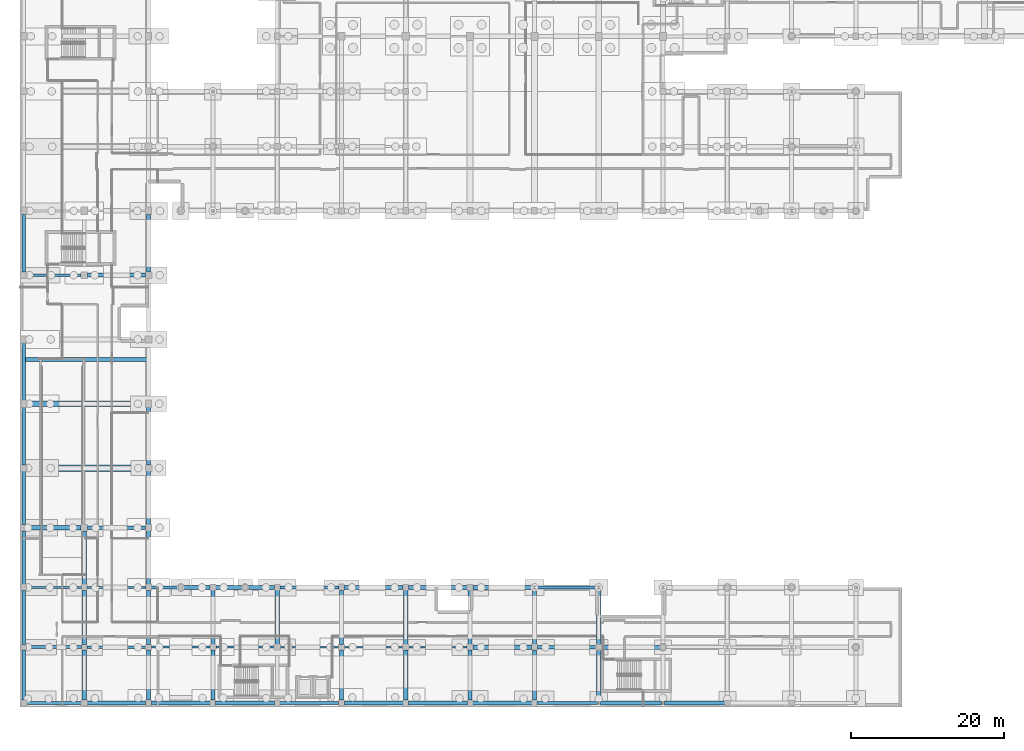
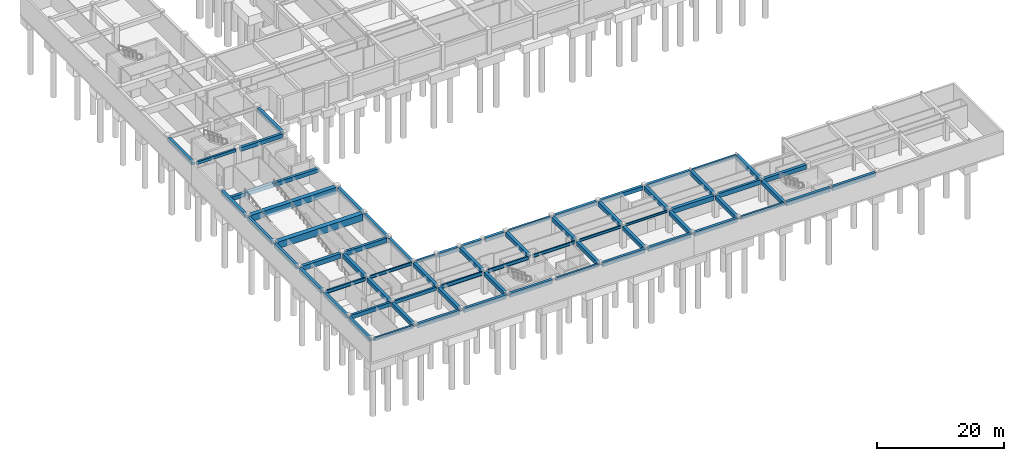
# One storey, part 19 of 42: 68 beams.
"""IFC4 building model written with IfcOpenShell, lengths in metres."""

from ifc_helpers import new_model, si_unit, direction, frame, origin, origin_2d, place, context, subcontext, project, spatial, rectangle, i_section, extrude, material, material_profile, profile_set, type_object, element, save


model = new_model("IFC4")

# Units and contexts
model_context = context("Model", 3, precision=1e-05, world=origin(), true_north=direction((0.0, 1.0)))
body_context = subcontext(model_context, "Body", "Model", "MODEL_VIEW")
ifc_project = project(units=[si_unit("LENGTHUNIT", "METRE"), si_unit("AREAUNIT", "SQUARE_METRE"), si_unit("VOLUMEUNIT", "CUBIC_METRE"), si_unit("PLANEANGLEUNIT", "RADIAN"), si_unit("MASSUNIT", "GRAM", prefix="KILO")], contexts=[model_context])

# Site, building, storey
site_placement = place(None, origin())
site = spatial("IfcSite", under=ifc_project, at=site_placement, CompositionType="ELEMENT")
building_placement = place(site_placement, origin())
building = spatial("IfcBuilding", under=site, at=building_placement, Name="Quendrovan Civic Courthouse", CompositionType="ELEMENT")
storey_placement = place(building_placement, frame((0.0, 0.0, -4.5)))
storey = spatial("IfcBuildingStorey", under=building, at=storey_placement, Name="B1", CompositionType="ELEMENT", Elevation=-4.5)

# Beams
ifc_material_1 = material(Name="Post-tensioned concrete C50/60", Category="concrete")
ifc_material_profile_1 = material_profile(ifc_material_1, rectangle(XDim=0.75, YDim=1.199951171875, at=origin_2d()), Name="PT-GIRD-750x1200")
ifc_profile_set_1 = profile_set([ifc_material_profile_1], Name="Post-tensioned concrete C50/60")
beam_type_1 = type_object("IfcBeamType", Name="BM-PT1200", PredefinedType="BEAM", material=ifc_profile_set_1)
beam_1_placement = place(storey_placement, frame((0.8798828125, 39.60009765625, 3.6201171875), z_axis=(1.0, 0.0, 0.0), x_axis=(0.0, 1.0, 0.0)))
element("IfcBeam", 1, at=beam_1_placement, inside=storey, type_object=beam_type_1, Name="B1 Girder X0044", PredefinedType="BEAM", context=body_context, shape_type="SweptSolid", body=[
    extrude(rectangle(XDim=0.75, YDim=1.199951171875, at=origin_2d()), origin(), (0.0, 0.0, 1.0), 15.5400390625),
])
ifc_material_profile_2 = material_profile(ifc_material_1, rectangle(XDim=0.85009765625, YDim=1.300048828125, at=origin_2d()), Name="PT-GRD-850x1300")
ifc_profile_set_2 = profile_set([ifc_material_profile_2], Name="Post-tensioned concrete C50/60")
beam_type_2 = type_object("IfcBeamType", Name="BM-PT1300", PredefinedType="BEAM", material=ifc_profile_set_2)
beam_2_placement = place(storey_placement, frame((0.905029296875, 31.199951171875, 3.570068359375), z_axis=(1.0, 0.0, 0.0), x_axis=(0.0, 1.0, 0.0)))
element("IfcBeam", 2, at=beam_2_placement, inside=storey, type_object=beam_type_2, Name="B1 Girder X0043", PredefinedType="BEAM", context=body_context, shape_type="SweptSolid", body=[
    extrude(rectangle(XDim=0.85009765625, YDim=1.300048828125, at=origin_2d()), origin(), (0.0, 0.0, 1.0), 15.489990234375),
])
ifc_material_2 = material(Name="Concrete C40/50", Category="concrete")
ifc_material_profile_3 = material_profile(ifc_material_2, rectangle(XDim=0.35009765625, YDim=0.550048828125, at=origin_2d()), Name="RC-BM-350x550")
ifc_profile_set_3 = profile_set([ifc_material_profile_3], Name="Concrete C40/50")
beam_type_3 = type_object("IfcBeamType", Name="BM-RC550", PredefinedType="LINTEL", material=ifc_profile_set_3)
beam_3_placement = place(storey_placement, frame((0.8798828125, 0.5, 3.945068359375), z_axis=(1.0, 0.0, 0.0), x_axis=(0.0, 1.0, 0.0)))
element("IfcBeam", 3, at=beam_3_placement, inside=storey, type_object=beam_type_3, Name="B1 Girder X0001", PredefinedType="LINTEL", context=body_context, shape_type="SweptSolid", body=[
    extrude(rectangle(XDim=0.35009765625, YDim=0.550048828125, at=origin_2d()), origin(), (0.0, 0.0, 1.0), 7.14013671875),
])
beam_4_placement = place(storey_placement, frame((33.929931640625, 0.5, 3.945068359375), z_axis=(1.0, 0.0, 0.0), x_axis=(0.0, 1.0, 0.0)))
element("IfcBeam", 4, at=beam_4_placement, inside=storey, type_object=beam_type_3, Name="B1 Girder X0005", PredefinedType="LINTEL", context=body_context, shape_type="SweptSolid", body=[
    extrude(rectangle(XDim=0.35009765625, YDim=0.550048828125, at=origin_2d()), origin(), (0.0, 0.0, 1.0), 7.690185546875),
])
beam_5_placement = place(storey_placement, frame((67.530029296875, 0.5, 3.945068359375), z_axis=(1.0, 0.0, 0.0), x_axis=(0.0, 1.0, 0.0)))
element("IfcBeam", 5, at=beam_5_placement, inside=storey, type_object=beam_type_3, Name="B1 Girder X0009", PredefinedType="LINTEL", context=body_context, shape_type="SweptSolid", body=[
    extrude(rectangle(XDim=0.35009765625, YDim=0.550048828125, at=origin_2d()), origin(), (0.0, 0.0, 1.0), 7.903076171875),
])
beam_6_placement = place(storey_placement, frame((17.1298828125, 15.60009765625, 3.945068359375), z_axis=(1.0, 0.0, 0.0), x_axis=(0.0, 1.0, 0.0)))
element("IfcBeam", 6, at=beam_6_placement, inside=storey, type_object=beam_type_3, Name="B1 Girder X0029", PredefinedType="LINTEL", context=body_context, shape_type="SweptSolid", body=[
    extrude(rectangle(XDim=0.35009765625, YDim=0.550048828125, at=origin_2d()), origin(), (0.0, 0.0, 1.0), 3.615234375),
])
beam_7_placement = place(storey_placement, frame((33.955078125, 15.60009765625, 3.945068359375), z_axis=(1.0, 0.0, 0.0), x_axis=(0.0, 1.0, 0.0)))
element("IfcBeam", 7, at=beam_7_placement, inside=storey, type_object=beam_type_3, Name="B1 Girder X0033", PredefinedType="LINTEL", context=body_context, shape_type="SweptSolid", body=[
    extrude(rectangle(XDim=0.35009765625, YDim=0.550048828125, at=origin_2d()), origin(), (0.0, 0.0, 1.0), 7.71484375),
])
beam_8_placement = place(storey_placement, frame((67.366943359375, 15.60009765625, 3.945068359375), z_axis=(1.0, 0.0, 0.0), x_axis=(0.0, 1.0, 0.0)))
element("IfcBeam", 8, at=beam_8_placement, inside=storey, type_object=beam_type_3, Name="B1 Girder X0037", PredefinedType="LINTEL", context=body_context, shape_type="SweptSolid", body=[
    extrude(rectangle(XDim=0.35009765625, YDim=0.550048828125, at=origin_2d()), origin(), (0.0, 0.0, 1.0), 8.066162109375),
])
beam_9_placement = place(storey_placement, frame((0.905029296875, 56.39990234375, 3.945068359375), z_axis=(1.0, 0.0, 0.0), x_axis=(0.0, 1.0, 0.0)))
element("IfcBeam", 9, at=beam_9_placement, inside=storey, type_object=beam_type_3, Name="B1 Girder X0045", PredefinedType="LINTEL", context=body_context, shape_type="SweptSolid", body=[
    extrude(rectangle(XDim=0.35009765625, YDim=0.550048828125, at=origin_2d()), origin(), (0.0, 0.0, 1.0), 7.090087890625),
])
ifc_material_profile_4 = material_profile(ifc_material_2, rectangle(XDim=0.35009765625, YDim=0.64990234375, at=origin_2d()), Name="RC-BM-350x650")
ifc_profile_set_4 = profile_set([ifc_material_profile_4], Name="Concrete C40/50")
beam_type_4 = type_object("IfcBeamType", Name="BM-RC650B", PredefinedType="BEAM", material=ifc_profile_set_4)
beam_10_placement = place(storey_placement, frame((8.7548828125, 7.800048828125, 3.89501953125), z_axis=(1.0, 0.0, 0.0), x_axis=(0.0, 1.0, 0.0)))
element("IfcBeam", 10, at=beam_10_placement, inside=storey, type_object=beam_type_4, Name="B1 Girder X0015", PredefinedType="BEAM", context=body_context, shape_type="SweptSolid", body=[
    extrude(rectangle(XDim=0.35009765625, YDim=0.64990234375, at=origin_2d()), origin(), (0.0, 0.0, 1.0), 7.690185546875),
])
ifc_material_profile_5 = material_profile(ifc_material_2, rectangle(XDim=0.5, YDim=0.75, at=origin_2d()), Name="RC-BM-500x750")
ifc_profile_set_5 = profile_set([ifc_material_profile_5], Name="Concrete C40/50")
beam_type_5 = type_object("IfcBeamType", Name="BM-RC750", PredefinedType="SPANDREL", material=ifc_profile_set_5)
beam_11_placement = place(storey_placement, frame((8.780029296875, 0.5, 3.844970703125), z_axis=(1.0, 0.0, 0.0), x_axis=(0.0, 1.0, 0.0)))
element("IfcBeam", 11, at=beam_11_placement, inside=storey, type_object=beam_type_5, Name="B1 Girder X0002", PredefinedType="SPANDREL", context=body_context, shape_type="SweptSolid", body=[
    extrude(rectangle(XDim=0.5, YDim=0.75, at=origin_2d()), origin(), (0.0, 0.0, 1.0), 7.639892578125),
])
beam_12_placement = place(storey_placement, frame((17.179931640625, 0.5, 3.844970703125), z_axis=(1.0, 0.0, 0.0), x_axis=(0.0, 1.0, 0.0)))
element("IfcBeam", 12, at=beam_12_placement, inside=storey, type_object=beam_type_5, Name="B1 Girder X0003", PredefinedType="SPANDREL", context=body_context, shape_type="SweptSolid", body=[
    extrude(rectangle(XDim=0.5, YDim=0.75, at=origin_2d()), origin(), (0.0, 0.0, 1.0), 7.690185546875),
])
beam_13_placement = place(storey_placement, frame((25.530029296875, 0.5, 3.844970703125), z_axis=(1.0, 0.0, 0.0), x_axis=(0.0, 1.0, 0.0)))
element("IfcBeam", 13, at=beam_13_placement, inside=storey, type_object=beam_type_5, Name="B1 Girder X0004", PredefinedType="SPANDREL", context=body_context, shape_type="SweptSolid", body=[
    extrude(rectangle(XDim=0.5, YDim=0.75, at=origin_2d()), origin(), (0.0, 0.0, 1.0), 7.739990234375),
])
beam_14_placement = place(storey_placement, frame((42.3798828125, 0.5, 3.844970703125), z_axis=(1.0, 0.0, 0.0), x_axis=(0.0, 1.0, 0.0)))
element("IfcBeam", 14, at=beam_14_placement, inside=storey, type_object=beam_type_5, Name="B1 Girder X0006", PredefinedType="SPANDREL", context=body_context, shape_type="SweptSolid", body=[
    extrude(rectangle(XDim=0.5, YDim=0.75, at=origin_2d()), origin(), (0.0, 0.0, 1.0), 7.690185546875),
])
beam_15_placement = place(storey_placement, frame((50.72998046875, 0.5, 3.844970703125), z_axis=(1.0, 0.0, 0.0), x_axis=(0.0, 1.0, 0.0)))
element("IfcBeam", 15, at=beam_15_placement, inside=storey, type_object=beam_type_5, Name="B1 Girder X0007", PredefinedType="SPANDREL", context=body_context, shape_type="SweptSolid", body=[
    extrude(rectangle(XDim=0.5, YDim=0.75, at=origin_2d()), origin(), (0.0, 0.0, 1.0), 7.739990234375),
])
beam_16_placement = place(storey_placement, frame((59.1298828125, 0.5, 3.844970703125), z_axis=(1.0, 0.0, 0.0), x_axis=(0.0, 1.0, 0.0)))
element("IfcBeam", 16, at=beam_16_placement, inside=storey, type_object=beam_type_5, Name="B1 Girder X0008", PredefinedType="SPANDREL", context=body_context, shape_type="SweptSolid", body=[
    extrude(rectangle(XDim=0.5, YDim=0.75, at=origin_2d()), origin(), (0.0, 0.0, 1.0), 7.740234375),
])
beam_17_placement = place(storey_placement, frame((75.76708984375, 0.5, 3.844970703125), z_axis=(1.0, 0.0, 0.0), x_axis=(0.0, 1.0, 0.0)))
element("IfcBeam", 17, at=beam_17_placement, inside=storey, type_object=beam_type_5, Name="B1 Girder X0010", PredefinedType="SPANDREL", context=body_context, shape_type="SweptSolid", body=[
    extrude(rectangle(XDim=0.5, YDim=0.75, at=origin_2d()), origin(), (0.0, 0.0, 1.0), 8.06591796875),
])
beam_18_placement = place(storey_placement, frame((84.1669921875, 0.5, 3.844970703125), z_axis=(1.0, 0.0, 0.0), x_axis=(0.0, 1.0, 0.0)))
element("IfcBeam", 18, at=beam_18_placement, inside=storey, type_object=beam_type_5, Name="B1 Girder X0011", PredefinedType="SPANDREL", context=body_context, shape_type="SweptSolid", body=[
    extrude(rectangle(XDim=0.5, YDim=0.75, at=origin_2d()), origin(), (0.0, 0.0, 1.0), 7.903076171875),
])
beam_19_placement = place(storey_placement, frame((21.2548828125, 15.60009765625, 3.844970703125), z_axis=(1.0, 0.0, 0.0), x_axis=(0.0, 1.0, 0.0)))
element("IfcBeam", 19, at=beam_19_placement, inside=storey, type_object=beam_type_5, Name="B1 Girder X0030", PredefinedType="SPANDREL", context=body_context, shape_type="SweptSolid", body=[
    extrude(rectangle(XDim=0.5, YDim=0.75, at=origin_2d()), origin(), (0.0, 0.0, 1.0), 3.590087890625),
])
beam_20_placement = place(storey_placement, frame((25.554931640625, 15.60009765625, 3.844970703125), z_axis=(1.0, 0.0, 0.0), x_axis=(0.0, 1.0, 0.0)))
element("IfcBeam", 20, at=beam_20_placement, inside=storey, type_object=beam_type_5, Name="B1 Girder X0031", PredefinedType="SPANDREL", context=body_context, shape_type="SweptSolid", body=[
    extrude(rectangle(XDim=0.5, YDim=0.75, at=origin_2d()), origin(), (0.0, 0.0, 1.0), 3.489990234375),
])
beam_21_placement = place(storey_placement, frame((29.7548828125, 15.60009765625, 3.844970703125), z_axis=(1.0, 0.0, 0.0), x_axis=(0.0, 1.0, 0.0)))
element("IfcBeam", 21, at=beam_21_placement, inside=storey, type_object=beam_type_5, Name="B1 Girder X0032", PredefinedType="SPANDREL", context=body_context, shape_type="SweptSolid", body=[
    extrude(rectangle(XDim=0.5, YDim=0.75, at=origin_2d()), origin(), (0.0, 0.0, 1.0), 3.490234375),
])
beam_22_placement = place(storey_placement, frame((42.330078125, 15.60009765625, 3.844970703125), z_axis=(1.0, 0.0, 0.0), x_axis=(0.0, 1.0, 0.0)))
element("IfcBeam", 22, at=beam_22_placement, inside=storey, type_object=beam_type_5, Name="B1 Girder X0034", PredefinedType="SPANDREL", context=body_context, shape_type="SweptSolid", body=[
    extrude(rectangle(XDim=0.5, YDim=0.75, at=origin_2d()), origin(), (0.0, 0.0, 1.0), 7.71484375),
])
beam_23_placement = place(storey_placement, frame((50.7548828125, 15.60009765625, 3.844970703125), z_axis=(1.0, 0.0, 0.0), x_axis=(0.0, 1.0, 0.0)))
element("IfcBeam", 23, at=beam_23_placement, inside=storey, type_object=beam_type_5, Name="B1 Girder X0035", PredefinedType="SPANDREL", context=body_context, shape_type="SweptSolid", body=[
    extrude(rectangle(XDim=0.5, YDim=0.75, at=origin_2d()), origin(), (0.0, 0.0, 1.0), 7.690185546875),
])
beam_24_placement = place(storey_placement, frame((59.155029296875, 15.60009765625, 3.844970703125), z_axis=(1.0, 0.0, 0.0), x_axis=(0.0, 1.0, 0.0)))
element("IfcBeam", 24, at=beam_24_placement, inside=storey, type_object=beam_type_5, Name="B1 Girder X0036", PredefinedType="SPANDREL", context=body_context, shape_type="SweptSolid", body=[
    extrude(rectangle(XDim=0.5, YDim=0.75, at=origin_2d()), origin(), (0.0, 0.0, 1.0), 7.8779296875),
])
beam_25_placement = place(storey_placement, frame((8.804931640625, 56.39990234375, 3.844970703125), z_axis=(1.0, 0.0, 0.0), x_axis=(0.0, 1.0, 0.0)))
element("IfcBeam", 25, at=beam_25_placement, inside=storey, type_object=beam_type_5, Name="B1 Girder X0046", PredefinedType="SPANDREL", context=body_context, shape_type="SweptSolid", body=[
    extrude(rectangle(XDim=0.5, YDim=0.75, at=origin_2d()), origin(), (0.0, 0.0, 1.0), 7.590087890625),
])
beam_26_placement = place(storey_placement, frame((0.5, 0.8798828125, 3.844970703125), z_axis=(0.0, 1.0, 0.0), x_axis=(-1.0, 0.0, 0.0)))
element("IfcBeam", 26, at=beam_26_placement, inside=storey, type_object=beam_type_5, Name="B1 Girder Y0131", PredefinedType="SPANDREL", context=body_context, shape_type="SweptSolid", body=[
    extrude(rectangle(XDim=0.5, YDim=0.75, at=origin_2d()), origin(), (0.0, 0.0, 1.0), 6.565185546875),
])
beam_27_placement = place(storey_placement, frame((0.5, 8.155029296875, 3.844970703125), z_axis=(0.0, 1.0, 0.0), x_axis=(-1.0, 0.0, 0.0)))
element("IfcBeam", 27, at=beam_27_placement, inside=storey, type_object=beam_type_5, Name="B1 Girder Y0132", PredefinedType="SPANDREL", context=body_context, shape_type="SweptSolid", body=[
    extrude(rectangle(XDim=0.5, YDim=0.75, at=origin_2d()), origin(), (0.0, 0.0, 1.0), 7.0400390625),
])
beam_28_placement = place(storey_placement, frame((0.5, 16.0048828125, 3.844970703125), z_axis=(0.0, 1.0, 0.0), x_axis=(-1.0, 0.0, 0.0)))
element("IfcBeam", 28, at=beam_28_placement, inside=storey, type_object=beam_type_5, Name="B1 Girder Y0133", PredefinedType="SPANDREL", context=body_context, shape_type="SweptSolid", body=[
    extrude(rectangle(XDim=0.5, YDim=0.75, at=origin_2d()), origin(), (0.0, 0.0, 1.0), 6.965087890625),
])
beam_29_placement = place(storey_placement, frame((0.5, 23.830078125, 3.844970703125), z_axis=(0.0, 1.0, 0.0), x_axis=(-1.0, 0.0, 0.0)))
element("IfcBeam", 29, at=beam_29_placement, inside=storey, type_object=beam_type_5, Name="B1 Girder Y0134", PredefinedType="SPANDREL", context=body_context, shape_type="SweptSolid", body=[
    extrude(rectangle(XDim=0.5, YDim=0.75, at=origin_2d()), origin(), (0.0, 0.0, 1.0), 6.96484375),
])
beam_30_placement = place(storey_placement, frame((0.5, 31.60498046875, 3.844970703125), z_axis=(0.0, 1.0, 0.0), x_axis=(-1.0, 0.0, 0.0)))
element("IfcBeam", 30, at=beam_30_placement, inside=storey, type_object=beam_type_5, Name="B1 Girder Y0135", PredefinedType="SPANDREL", context=body_context, shape_type="SweptSolid", body=[
    extrude(rectangle(XDim=0.5, YDim=0.75, at=origin_2d()), origin(), (0.0, 0.0, 1.0), 7.5400390625),
])
beam_31_placement = place(storey_placement, frame((0.5, 40.054931640625, 3.844970703125), z_axis=(0.0, 1.0, 0.0), x_axis=(-1.0, 0.0, 0.0)))
element("IfcBeam", 31, at=beam_31_placement, inside=storey, type_object=beam_type_5, Name="B1 Girder Y0136", PredefinedType="SPANDREL", context=body_context, shape_type="SweptSolid", body=[
    extrude(rectangle(XDim=0.5, YDim=0.75, at=origin_2d()), origin(), (0.0, 0.0, 1.0), 7.51513671875),
])
beam_32_placement = place(storey_placement, frame((0.5, 56.804931640625, 3.844970703125), z_axis=(0.0, 1.0, 0.0), x_axis=(-1.0, 0.0, 0.0)))
element("IfcBeam", 32, at=beam_32_placement, inside=storey, type_object=beam_type_5, Name="B1 Girder Y0137", PredefinedType="SPANDREL", context=body_context, shape_type="SweptSolid", body=[
    extrude(rectangle(XDim=0.5, YDim=0.75, at=origin_2d()), origin(), (0.0, 0.0, 1.0), 7.5400390625),
])
beam_33_placement = place(storey_placement, frame((16.800048828125, 16.0048828125, 3.844970703125), z_axis=(0.0, 1.0, 0.0), x_axis=(-1.0, 0.0, 0.0)))
element("IfcBeam", 33, at=beam_33_placement, inside=storey, type_object=beam_type_5, Name="B1 Girder Y0149", PredefinedType="SPANDREL", context=body_context, shape_type="SweptSolid", body=[
    extrude(rectangle(XDim=0.5, YDim=0.75, at=origin_2d()), origin(), (0.0, 0.0, 1.0), 7.01513671875),
])
beam_34_placement = place(storey_placement, frame((16.800048828125, 23.780029296875, 3.844970703125), z_axis=(0.0, 1.0, 0.0), x_axis=(-1.0, 0.0, 0.0)))
element("IfcBeam", 34, at=beam_34_placement, inside=storey, type_object=beam_type_5, Name="B1 Girder Y0150", PredefinedType="SPANDREL", context=body_context, shape_type="SweptSolid", body=[
    extrude(rectangle(XDim=0.5, YDim=0.75, at=origin_2d()), origin(), (0.0, 0.0, 1.0), 7.014892578125),
])
for number, where, z_axis, x_axis, name in (
    (35, (16.800048828125, 31.60498046875, 3.844970703125), (0.0, 1.0, 0.0), (-1.0, 0.0, 0.0), "B1 Girder Y0151"),
    (36, (16.800048828125, 56.804931640625, 3.844970703125), (0.0, 1.0, 0.0), (-1.0, 0.0, 0.0), "B1 Girder Y0152"),
):
    element("IfcBeam", number, at=place(storey_placement, frame(where, z_axis=z_axis, x_axis=x_axis)), inside=storey, type_object=beam_type_5, Name=name, PredefinedType="SPANDREL", context=body_context, shape_type="SweptSolid", body=[
        extrude(rectangle(XDim=0.5, YDim=0.75, at=origin_2d()), origin(), (0.0, 0.0, 1.0), 7.5400390625),
    ])
beam_35_placement = place(storey_placement, frame((0.5, 45.39990234375, 3.804931640625), z_axis=(1.0, 0.0, 0.0), x_axis=(0.0, 1.0, 0.0)))
element("IfcBeam", 37, at=beam_35_placement, inside=storey, type_object=beam_type_5, Name="B1 Vehicle Ramp Top Header Beam", PredefinedType="SPANDREL", context=body_context, shape_type="SweptSolid", body=[
    extrude(rectangle(XDim=0.5, YDim=0.75, at=origin_2d()), origin(), (0.0, 0.0, 1.0), 16.300048828125),
])
ifc_material_profile_6 = material_profile(ifc_material_2, rectangle(XDim=0.39990234375, YDim=0.75, at=origin_2d()), Name="RC-BM-400x750")
ifc_profile_set_6 = profile_set([ifc_material_profile_6], Name="Concrete C40/50")
beam_type_6 = type_object("IfcBeamType", Name="BM-RC750B", PredefinedType="BEAM", material=ifc_profile_set_6)
beam_36_placement = place(storey_placement, frame((0.85498046875, 7.800048828125, 3.844970703125), z_axis=(1.0, 0.0, 0.0), x_axis=(0.0, 1.0, 0.0)))
element("IfcBeam", 38, at=beam_36_placement, inside=storey, type_object=beam_type_6, Name="B1 Girder X0014", PredefinedType="BEAM", context=body_context, shape_type="SweptSolid", body=[
    extrude(rectangle(XDim=0.39990234375, YDim=0.75, at=origin_2d()), origin(), (0.0, 0.0, 1.0), 7.18994140625),
])
ifc_material_profile_7 = material_profile(ifc_material_2, rectangle(XDim=0.550048828125, YDim=0.800048828125, at=origin_2d()), Name="RC-BM-550x800")
ifc_profile_set_7 = profile_set([ifc_material_profile_7], Name="Concrete C40/50")
beam_type_7 = type_object("IfcBeamType", Name="BM-RC800", PredefinedType="BEAM", material=ifc_profile_set_7)
beam_37_placement = place(storey_placement, frame((75.929931640625, 7.800048828125, 3.820068359375), z_axis=(1.0, 0.0, 0.0), x_axis=(0.0, 1.0, 0.0)))
element("IfcBeam", 39, at=beam_37_placement, inside=storey, type_object=beam_type_7, Name="B1 Girder X0023", PredefinedType="BEAM", context=body_context, shape_type="SweptSolid", body=[
    extrude(rectangle(XDim=0.550048828125, YDim=0.800048828125, at=origin_2d()), origin(), (0.0, 0.0, 1.0), 7.739990234375),
])
beam_38_placement = place(storey_placement, frame((8.39990234375, 0.8798828125, 3.820068359375), z_axis=(0.0, 1.0, 0.0), x_axis=(-1.0, 0.0, 0.0)))
element("IfcBeam", 40, at=beam_38_placement, inside=storey, type_object=beam_type_7, Name="B1 Girder Y0143", PredefinedType="BEAM", context=body_context, shape_type="SweptSolid", body=[
    extrude(rectangle(XDim=0.550048828125, YDim=0.800048828125, at=origin_2d()), origin(), (0.0, 0.0, 1.0), 6.565185546875),
])
beam_39_placement = place(storey_placement, frame((8.39990234375, 8.155029296875, 3.820068359375), z_axis=(0.0, 1.0, 0.0), x_axis=(-1.0, 0.0, 0.0)))
element("IfcBeam", 41, at=beam_39_placement, inside=storey, type_object=beam_type_7, Name="B1 Girder Y0144", PredefinedType="BEAM", context=body_context, shape_type="SweptSolid", body=[
    extrude(rectangle(XDim=0.550048828125, YDim=0.800048828125, at=origin_2d()), origin(), (0.0, 0.0, 1.0), 7.0400390625),
])
beam_40_placement = place(storey_placement, frame((8.39990234375, 16.0048828125, 3.820068359375), z_axis=(0.0, 1.0, 0.0), x_axis=(-1.0, 0.0, 0.0)))
element("IfcBeam", 42, at=beam_40_placement, inside=storey, type_object=beam_type_7, Name="B1 Girder Y0145", PredefinedType="BEAM", context=body_context, shape_type="SweptSolid", body=[
    extrude(rectangle(XDim=0.550048828125, YDim=0.800048828125, at=origin_2d()), origin(), (0.0, 0.0, 1.0), 6.965087890625),
])
beam_41_placement = place(storey_placement, frame((16.800048828125, 0.8798828125, 3.820068359375), z_axis=(0.0, 1.0, 0.0), x_axis=(-1.0, 0.0, 0.0)))
element("IfcBeam", 43, at=beam_41_placement, inside=storey, type_object=beam_type_7, Name="B1 Girder Y0147", PredefinedType="BEAM", context=body_context, shape_type="SweptSolid", body=[
    extrude(rectangle(XDim=0.550048828125, YDim=0.800048828125, at=origin_2d()), origin(), (0.0, 0.0, 1.0), 6.565185546875),
])
beam_42_placement = place(storey_placement, frame((16.800048828125, 8.155029296875, 3.820068359375), z_axis=(0.0, 1.0, 0.0), x_axis=(-1.0, 0.0, 0.0)))
element("IfcBeam", 44, at=beam_42_placement, inside=storey, type_object=beam_type_7, Name="B1 Girder Y0148", PredefinedType="BEAM", context=body_context, shape_type="SweptSolid", body=[
    extrude(rectangle(XDim=0.550048828125, YDim=0.800048828125, at=origin_2d()), origin(), (0.0, 0.0, 1.0), 7.0400390625),
])
beam_43_placement = place(storey_placement, frame((25.199951171875, 0.905029296875, 3.820068359375), z_axis=(0.0, 1.0, 0.0), x_axis=(-1.0, 0.0, 0.0)))
element("IfcBeam", 45, at=beam_43_placement, inside=storey, type_object=beam_type_7, Name="B1 Girder Y0158", PredefinedType="BEAM", context=body_context, shape_type="SweptSolid", body=[
    extrude(rectangle(XDim=0.550048828125, YDim=0.800048828125, at=origin_2d()), origin(), (0.0, 0.0, 1.0), 6.514892578125),
])
for number, where, z_axis, x_axis, name in (
    (46, (25.199951171875, 8.179931640625, 3.820068359375), (0.0, 1.0, 0.0), (-1.0, 0.0, 0.0), "B1 Girder Y0159"),
    (47, (33.60009765625, 8.179931640625, 3.820068359375), (0.0, 1.0, 0.0), (-1.0, 0.0, 0.0), "B1 Girder Y0162"),
):
    element("IfcBeam", number, at=place(storey_placement, frame(where, z_axis=z_axis, x_axis=x_axis)), inside=storey, type_object=beam_type_7, Name=name, PredefinedType="BEAM", context=body_context, shape_type="SweptSolid", body=[
        extrude(rectangle(XDim=0.550048828125, YDim=0.800048828125, at=origin_2d()), origin(), (0.0, 0.0, 1.0), 7.065185546875),
    ])
beam_44_placement = place(storey_placement, frame((42.0, 0.8798828125, 3.820068359375), z_axis=(0.0, 1.0, 0.0), x_axis=(-1.0, 0.0, 0.0)))
element("IfcBeam", 48, at=beam_44_placement, inside=storey, type_object=beam_type_7, Name="B1 Girder Y0169", PredefinedType="BEAM", context=body_context, shape_type="SweptSolid", body=[
    extrude(rectangle(XDim=0.550048828125, YDim=0.800048828125, at=origin_2d()), origin(), (0.0, 0.0, 1.0), 6.565185546875),
])
beam_45_placement = place(storey_placement, frame((42.0, 8.155029296875, 3.820068359375), z_axis=(0.0, 1.0, 0.0), x_axis=(-1.0, 0.0, 0.0)))
element("IfcBeam", 49, at=beam_45_placement, inside=storey, type_object=beam_type_7, Name="B1 Girder Y0170", PredefinedType="BEAM", context=body_context, shape_type="SweptSolid", body=[
    extrude(rectangle(XDim=0.550048828125, YDim=0.800048828125, at=origin_2d()), origin(), (0.0, 0.0, 1.0), 7.0400390625),
])
beam_46_placement = place(storey_placement, frame((50.39990234375, 0.905029296875, 3.820068359375), z_axis=(0.0, 1.0, 0.0), x_axis=(-1.0, 0.0, 0.0)))
element("IfcBeam", 50, at=beam_46_placement, inside=storey, type_object=beam_type_7, Name="B1 Girder Y0174", PredefinedType="BEAM", context=body_context, shape_type="SweptSolid", body=[
    extrude(rectangle(XDim=0.550048828125, YDim=0.800048828125, at=origin_2d()), origin(), (0.0, 0.0, 1.0), 6.514892578125),
])
beam_47_placement = place(storey_placement, frame((50.39990234375, 8.179931640625, 3.820068359375), z_axis=(0.0, 1.0, 0.0), x_axis=(-1.0, 0.0, 0.0)))
element("IfcBeam", 51, at=beam_47_placement, inside=storey, type_object=beam_type_7, Name="B1 Girder Y0175", PredefinedType="BEAM", context=body_context, shape_type="SweptSolid", body=[
    extrude(rectangle(XDim=0.550048828125, YDim=0.800048828125, at=origin_2d()), origin(), (0.0, 0.0, 1.0), 7.065185546875),
])
beam_48_placement = place(storey_placement, frame((58.800048828125, 0.905029296875, 3.820068359375), z_axis=(0.0, 1.0, 0.0), x_axis=(-1.0, 0.0, 0.0)))
element("IfcBeam", 52, at=beam_48_placement, inside=storey, type_object=beam_type_7, Name="B1 Girder Y0181", PredefinedType="BEAM", context=body_context, shape_type="SweptSolid", body=[
    extrude(rectangle(XDim=0.550048828125, YDim=0.800048828125, at=origin_2d()), origin(), (0.0, 0.0, 1.0), 6.514892578125),
])
beam_49_placement = place(storey_placement, frame((58.800048828125, 8.179931640625, 3.820068359375), z_axis=(0.0, 1.0, 0.0), x_axis=(-1.0, 0.0, 0.0)))
element("IfcBeam", 53, at=beam_49_placement, inside=storey, type_object=beam_type_7, Name="B1 Girder Y0182", PredefinedType="BEAM", context=body_context, shape_type="SweptSolid", body=[
    extrude(rectangle(XDim=0.550048828125, YDim=0.800048828125, at=origin_2d()), origin(), (0.0, 0.0, 1.0), 7.065185546875),
])
beam_50_placement = place(storey_placement, frame((67.199951171875, 0.905029296875, 3.820068359375), z_axis=(0.0, 1.0, 0.0), x_axis=(-1.0, 0.0, 0.0)))
element("IfcBeam", 54, at=beam_50_placement, inside=storey, type_object=beam_type_7, Name="B1 Girder Y0184", PredefinedType="BEAM", context=body_context, shape_type="SweptSolid", body=[
    extrude(rectangle(XDim=0.550048828125, YDim=0.800048828125, at=origin_2d()), origin(), (0.0, 0.0, 1.0), 6.514892578125),
])
beam_51_placement = place(storey_placement, frame((67.199951171875, 8.179931640625, 3.820068359375), z_axis=(0.0, 1.0, 0.0), x_axis=(-1.0, 0.0, 0.0)))
element("IfcBeam", 55, at=beam_51_placement, inside=storey, type_object=beam_type_7, Name="B1 Girder Y0185", PredefinedType="BEAM", context=body_context, shape_type="SweptSolid", body=[
    extrude(rectangle(XDim=0.550048828125, YDim=0.800048828125, at=origin_2d()), origin(), (0.0, 0.0, 1.0), 7.254150390625),
])
beam_52_placement = place(storey_placement, frame((75.60009765625, 0.666015625, 3.820068359375), z_axis=(0.0, 1.0, 0.0), x_axis=(-1.0, 0.0, 0.0)))
element("IfcBeam", 56, at=beam_52_placement, inside=storey, type_object=beam_type_7, Name="B1 Girder Y0190", PredefinedType="BEAM", context=body_context, shape_type="SweptSolid", body=[
    extrude(rectangle(XDim=0.550048828125, YDim=0.800048828125, at=origin_2d()), origin(), (0.0, 0.0, 1.0), 6.803955078125),
])
beam_53_placement = place(storey_placement, frame((75.60009765625, 8.1298828125, 3.820068359375), z_axis=(0.0, 1.0, 0.0), x_axis=(-1.0, 0.0, 0.0)))
element("IfcBeam", 57, at=beam_53_placement, inside=storey, type_object=beam_type_7, Name="B1 Girder Y0191", PredefinedType="BEAM", context=body_context, shape_type="SweptSolid", body=[
    extrude(rectangle(XDim=0.550048828125, YDim=0.800048828125, at=origin_2d()), origin(), (0.0, 0.0, 1.0), 7.30419921875),
])
ifc_material_3 = material(Name="Concrete C45/55", Category="concrete")
ifc_material_profile_8 = material_profile(ifc_material_3, rectangle(XDim=0.449951171875, YDim=0.85009765625, at=origin_2d()), Name="RC-BM-450x850")
ifc_profile_set_8 = profile_set([ifc_material_profile_8], Name="Concrete C45/55")
beam_type_8 = type_object("IfcBeamType", Name="BM-RC850", PredefinedType="BEAM", material=ifc_profile_set_8)
beam_54_placement = place(storey_placement, frame((67.580078125, 7.800048828125, 3.794921875), z_axis=(1.0, 0.0, 0.0), x_axis=(0.0, 1.0, 0.0)))
element("IfcBeam", 58, at=beam_54_placement, inside=storey, type_object=beam_type_8, Name="B1 Girder X0022", PredefinedType="BEAM", context=body_context, shape_type="SweptSolid", body=[
    extrude(rectangle(XDim=0.449951171875, YDim=0.85009765625, at=origin_2d()), origin(), (0.0, 0.0, 1.0), 7.68994140625),
])
beam_55_placement = place(storey_placement, frame((8.830078125, 23.39990234375, 3.794921875), z_axis=(1.0, 0.0, 0.0), x_axis=(0.0, 1.0, 0.0)))
element("IfcBeam", 59, at=beam_55_placement, inside=storey, type_object=beam_type_8, Name="B1 Girder X0042", PredefinedType="BEAM", context=body_context, shape_type="SweptSolid", body=[
    extrude(rectangle(XDim=0.449951171875, YDim=0.85009765625, at=origin_2d()), origin(), (0.0, 0.0, 1.0), 7.58984375),
])
ifc_material_profile_9 = material_profile(ifc_material_2, rectangle(XDim=0.60009765625, YDim=0.89990234375, at=origin_2d()), Name="RC-BM-600x900")
ifc_profile_set_9 = profile_set([ifc_material_profile_9], Name="Concrete C40/50")
beam_type_9 = type_object("IfcBeamType", Name="BM-RC900", PredefinedType="BEAM", material=ifc_profile_set_9)
beam_56_placement = place(storey_placement, frame((59.179931640625, 7.800048828125, 3.77001953125), z_axis=(1.0, 0.0, 0.0), x_axis=(0.0, 1.0, 0.0)))
element("IfcBeam", 60, at=beam_56_placement, inside=storey, type_object=beam_type_9, Name="B1 Girder X0021", PredefinedType="BEAM", context=body_context, shape_type="SweptSolid", body=[
    extrude(rectangle(XDim=0.60009765625, YDim=0.89990234375, at=origin_2d()), origin(), (0.0, 0.0, 1.0), 7.64013671875),
])
beam_57_placement = place(storey_placement, frame((0.929931640625, 23.39990234375, 3.77001953125), z_axis=(1.0, 0.0, 0.0), x_axis=(0.0, 1.0, 0.0)))
element("IfcBeam", 61, at=beam_57_placement, inside=storey, type_object=beam_type_9, Name="B1 Girder X0041", PredefinedType="BEAM", context=body_context, shape_type="SweptSolid", body=[
    extrude(rectangle(XDim=0.60009765625, YDim=0.89990234375, at=origin_2d()), origin(), (0.0, 0.0, 1.0), 7.0400390625),
])
ifc_material_4 = material(Name="Steel ASTM A992 Grade 50", Category="steel")
ifc_material_profile_10 = material_profile(ifc_material_4, i_section(OverallWidth=0.18994140625, OverallDepth=0.45703125, WebThickness=0.009033203125, FlangeThickness=0.014404296875, at=origin_2d()), Name="W18X50")
ifc_profile_set_10 = profile_set([ifc_material_profile_10], Name="Steel ASTM A992 Grade 50")
beam_type_10 = type_object("IfcBeamType", Name="BM-STL-W18", PredefinedType="JOIST", material=ifc_profile_set_10)
beam_58_placement = place(storey_placement, frame((50.780029296875, 7.800048828125, 3.991455078125), z_axis=(1.0, 0.0, 0.0), x_axis=(0.0, 1.0, 0.0)))
element("IfcBeam", 62, at=beam_58_placement, inside=storey, type_object=beam_type_10, Name="B1 Girder X0020", PredefinedType="JOIST", context=body_context, shape_type="SweptSolid", body=[
    extrude(i_section(OverallWidth=0.18994140625, OverallDepth=0.45703125, WebThickness=0.009033203125, FlangeThickness=0.014404296875, at=origin_2d()), origin(), (0.0, 0.0, 1.0), 7.639892578125),
])
ifc_material_profile_11 = material_profile(ifc_material_4, i_section(OverallWidth=0.208984375, OverallDepth=0.532958984375, WebThickness=0.01025390625, FlangeThickness=0.015625, at=origin_2d()), Name="W21X62")
ifc_profile_set_11 = profile_set([ifc_material_profile_11], Name="Steel ASTM A992 Grade 50")
beam_type_11 = type_object("IfcBeamType", Name="BM-STL-W21", PredefinedType="JOIST", material=ifc_profile_set_11)
beam_59_placement = place(storey_placement, frame((42.35498046875, 7.800048828125, 3.95361328125), z_axis=(1.0, 0.0, 0.0), x_axis=(0.0, 1.0, 0.0)))
element("IfcBeam", 63, at=beam_59_placement, inside=storey, type_object=beam_type_11, Name="B1 Girder X0019", PredefinedType="JOIST", context=body_context, shape_type="SweptSolid", body=[
    extrude(i_section(OverallWidth=0.208984375, OverallDepth=0.532958984375, WebThickness=0.01025390625, FlangeThickness=0.015625, at=origin_2d()), origin(), (0.0, 0.0, 1.0), 7.6650390625),
])
ifc_material_profile_12 = material_profile(ifc_material_4, i_section(OverallWidth=0.22802734375, OverallDepth=0.60693359375, WebThickness=0.01123046875, FlangeThickness=0.017333984375, at=origin_2d()), Name="W24X76")
ifc_profile_set_12 = profile_set([ifc_material_profile_12], Name="Steel ASTM A992 Grade 50")
beam_type_12 = type_object("IfcBeamType", Name="BM-STL-W24", PredefinedType="BEAM", material=ifc_profile_set_12)
beam_60_placement = place(storey_placement, frame((33.97998046875, 7.800048828125, 3.91650390625), z_axis=(1.0, 0.0, 0.0), x_axis=(0.0, 1.0, 0.0)))
element("IfcBeam", 64, at=beam_60_placement, inside=storey, type_object=beam_type_12, Name="B1 Girder X0018", PredefinedType="BEAM", context=body_context, shape_type="SweptSolid", body=[
    extrude(i_section(OverallWidth=0.22802734375, OverallDepth=0.60693359375, WebThickness=0.01123046875, FlangeThickness=0.017333984375, at=origin_2d()), origin(), (0.0, 0.0, 1.0), 7.6650390625),
])
beam_61_placement = place(storey_placement, frame((8.72998046875, 15.60009765625, 3.91650390625), z_axis=(1.0, 0.0, 0.0), x_axis=(0.0, 1.0, 0.0)))
element("IfcBeam", 65, at=beam_61_placement, inside=storey, type_object=beam_type_12, Name="B1 Girder X0028", PredefinedType="BEAM", context=body_context, shape_type="SweptSolid", body=[
    extrude(i_section(OverallWidth=0.22802734375, OverallDepth=0.60693359375, WebThickness=0.01123046875, FlangeThickness=0.017333984375, at=origin_2d()), origin(), (0.0, 0.0, 1.0), 7.739990234375),
])
ifc_material_profile_13 = material_profile(ifc_material_4, i_section(OverallWidth=0.25390625, OverallDepth=0.68408203125, WebThickness=0.012451171875, FlangeThickness=0.018798828125, at=origin_2d()), Name="W27X94")
ifc_profile_set_13 = profile_set([ifc_material_profile_13], Name="Steel ASTM A992 Grade 50")
beam_type_13 = type_object("IfcBeamType", Name="BM-STL-W27", PredefinedType="BEAM", material=ifc_profile_set_13)
beam_62_placement = place(storey_placement, frame((25.580078125, 7.800048828125, 3.8779296875), z_axis=(1.0, 0.0, 0.0), x_axis=(0.0, 1.0, 0.0)))
element("IfcBeam", 66, at=beam_62_placement, inside=storey, type_object=beam_type_13, Name="B1 Girder X0017", PredefinedType="BEAM", context=body_context, shape_type="SweptSolid", body=[
    extrude(i_section(OverallWidth=0.25390625, OverallDepth=0.68408203125, WebThickness=0.012451171875, FlangeThickness=0.018798828125, at=origin_2d()), origin(), (0.0, 0.0, 1.0), 7.639892578125),
])
beam_63_placement = place(storey_placement, frame((0.830078125, 15.60009765625, 3.8779296875), z_axis=(1.0, 0.0, 0.0), x_axis=(0.0, 1.0, 0.0)))
element("IfcBeam", 67, at=beam_63_placement, inside=storey, type_object=beam_type_13, Name="B1 Girder X0027", PredefinedType="BEAM", context=body_context, shape_type="SweptSolid", body=[
    extrude(i_section(OverallWidth=0.25390625, OverallDepth=0.68408203125, WebThickness=0.012451171875, FlangeThickness=0.018798828125, at=origin_2d()), origin(), (0.0, 0.0, 1.0), 7.239990234375),
])
ifc_material_profile_14 = material_profile(ifc_material_4, i_section(OverallWidth=0.26611328125, OverallDepth=0.758056640625, WebThickness=0.013916015625, FlangeThickness=0.019287109375, at=origin_2d()), Name="W30X108")
ifc_profile_set_14 = profile_set([ifc_material_profile_14], Name="Steel ASTM A992 Grade 50")
beam_type_14 = type_object("IfcBeamType", Name="BM-STL-W30", PredefinedType="BEAM", material=ifc_profile_set_14)
beam_64_placement = place(storey_placement, frame((17.155029296875, 7.800048828125, 3.841064453125), z_axis=(1.0, 0.0, 0.0), x_axis=(0.0, 1.0, 0.0)))
element("IfcBeam", 68, at=beam_64_placement, inside=storey, type_object=beam_type_14, Name="B1 Girder X0016", PredefinedType="BEAM", context=body_context, shape_type="SweptSolid", body=[
    extrude(i_section(OverallWidth=0.26611328125, OverallDepth=0.758056640625, WebThickness=0.013916015625, FlangeThickness=0.019287109375, at=origin_2d()), origin(), (0.0, 0.0, 1.0), 7.6650390625),
])

save(model, "model.ifc")
